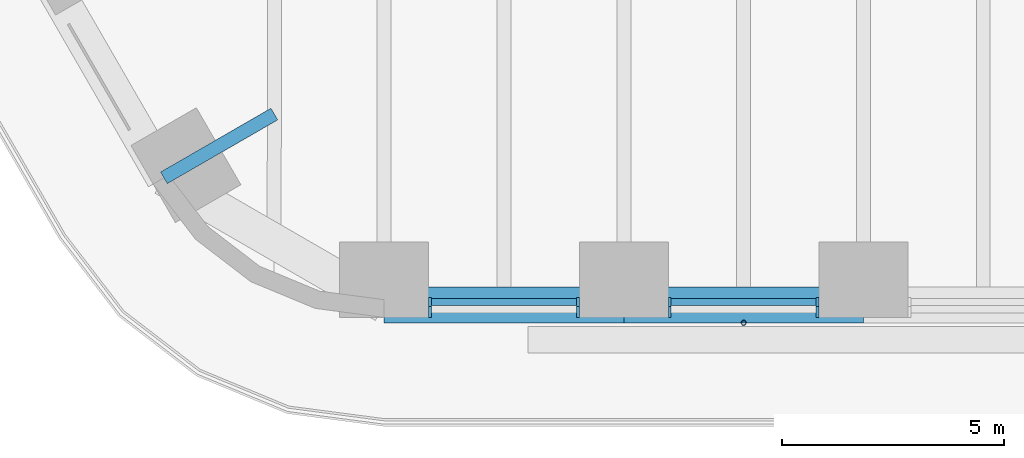
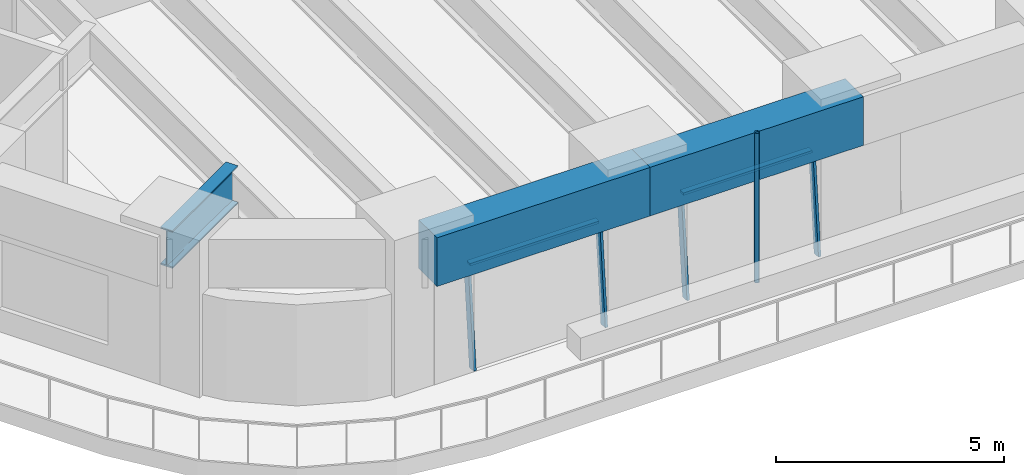
# One storey, part 2 of 23: 7 members, 3 beams, 2 elements without a shape of their own.
"""IFC4 building model written with IfcOpenShell, lengths in metres."""

from ifc_helpers import new_model, si_unit, direction, frame, origin, origin_2d, place, context, subcontext, project, spatial, rectangle, hollow_circle, i_section, extrude, material, material_profile, profile_set, type_object, element, aggregate, save


model = new_model("IFC4")

# Units and contexts
model_context = context("Model", 3, precision=1e-05, world=origin(), true_north=direction((0.0, 1.0)))
body_context = subcontext(model_context, "Body", "Model", "MODEL_VIEW")
ifc_project = project(units=[si_unit("LENGTHUNIT", "METRE"), si_unit("AREAUNIT", "SQUARE_METRE"), si_unit("VOLUMEUNIT", "CUBIC_METRE"), si_unit("PLANEANGLEUNIT", "RADIAN"), si_unit("MASSUNIT", "GRAM", prefix="KILO")], contexts=[model_context])

# Site, building, storey
site_placement = place(None, origin())
site = spatial("IfcSite", under=ifc_project, at=site_placement, CompositionType="ELEMENT")
building_placement = place(site_placement, origin())
building = spatial("IfcBuilding", under=site, at=building_placement, Name="Tarfa Lantern Tower", CompositionType="ELEMENT")
storey_placement = place(building_placement, frame((0.0, 0.0, 78.10009765625)))
storey = spatial("IfcBuildingStorey", under=building, at=storey_placement, Name="L17", CompositionType="ELEMENT", Elevation=78.10009765625)

# Curtain wall, members
ifc_material_1 = material(Name="Aluminium framed curtain wall", Category="aluminium")
curtain_wall_type = type_object("IfcCurtainWallType", Name="CW1 CANTED GLAZING LOW ZONE 2700", PredefinedType="USERDEFINED", material=ifc_material_1)
curtain_wall_1_placement = place(storey_placement, origin())
curtain_wall_1 = element("IfcCurtainWall", 1, at=curtain_wall_1_placement, inside=storey, type_object=curtain_wall_type, Name="CW1 S L17", ObjectType="CURTAIN WALL", PredefinedType="USERDEFINED")
ifc_material_2 = material(Name="Aluminium mullion", Category="aluminium")
ifc_material_profile_1 = material_profile(ifc_material_2, rectangle(XDim=0.06494140625, YDim=0.199951171875, at=origin_2d()), Name="AL MULLION 65x200")
ifc_profile_set_1 = profile_set([ifc_material_profile_1], Name="Aluminium mullion")
member_type_1 = type_object("IfcMemberType", Name="CWM1 MULLION 65x200", PredefinedType="MULLION", material=ifc_profile_set_1)
member_1_placement = place(storey_placement, frame((-15.13330078125, -33.89990234375, 0.0), z_axis=(0.0, 0.092199863775, 0.995740520979), x_axis=(-1.0, 0.0, 0.0)))
member_1 = element("IfcMember", 2, at=member_1_placement, type_object=member_type_1, Name="CW1 mullion 1", PredefinedType="MULLION", context=body_context, shape_type="SweptSolid", body=[
    extrude(rectangle(XDim=0.06494140625, YDim=0.199951171875, at=origin_2d()), origin(), (0.0, 0.0, 1.0), 2.71142578125),
])
member_2_placement = place(storey_placement, frame((-11.809814453125, -33.89990234375, 0.0), z_axis=(0.0, 0.092199863775, 0.995740520979), x_axis=(-1.0, 0.0, 0.0)))
member_2 = element("IfcMember", 3, at=member_2_placement, type_object=member_type_1, Name="CW1 mullion 2", PredefinedType="MULLION", context=body_context, shape_type="SweptSolid", body=[
    extrude(rectangle(XDim=0.06494140625, YDim=0.199951171875, at=origin_2d()), origin(), (0.0, 0.0, 1.0), 2.71142578125),
])

curtain_wall_2_placement = place(storey_placement, origin())
curtain_wall_2 = element("IfcCurtainWall", 4, at=curtain_wall_2_placement, inside=storey, type_object=curtain_wall_type, Name="CW1 S L17", ObjectType="CURTAIN WALL", PredefinedType="USERDEFINED")
member_3_placement = place(storey_placement, frame((-9.74462890625, -33.89990234375, 0.0), z_axis=(0.0, 0.092199863775, 0.995740520979), x_axis=(-1.0, 0.0, 0.0)))
member_3 = element("IfcMember", 5, at=member_3_placement, type_object=member_type_1, Name="CW1 mullion 1", PredefinedType="MULLION", context=body_context, shape_type="SweptSolid", body=[
    extrude(rectangle(XDim=0.06494140625, YDim=0.199951171875, at=origin_2d()), origin(), (0.0, 0.0, 1.0), 2.71142578125),
])
member_4_placement = place(storey_placement, frame((-6.421142578125, -33.89990234375, 0.0), z_axis=(0.0, 0.092199863775, 0.995740520979), x_axis=(-1.0, 0.0, 0.0)))
member_4 = element("IfcMember", 6, at=member_4_placement, type_object=member_type_1, Name="CW1 mullion 2", PredefinedType="MULLION", context=body_context, shape_type="SweptSolid", body=[
    extrude(rectangle(XDim=0.06494140625, YDim=0.199951171875, at=origin_2d()), origin(), (0.0, 0.0, 1.0), 2.71142578125),
])

# Member
ifc_material_3 = material(Name="Aluminium transom", Category="aluminium")
ifc_material_profile_2 = material_profile(ifc_material_3, rectangle(XDim=0.14990234375, YDim=0.06494140625, at=origin_2d()), Name="AL TRANSOM 150x65")
ifc_profile_set_2 = profile_set([ifc_material_profile_2], Name="Aluminium transom")
member_type_2 = type_object("IfcMemberType", Name="CWT1 TRANSOM 150x65", PredefinedType="USERDEFINED", material=ifc_profile_set_2)
member_5_placement = place(storey_placement, frame((-15.100830078125, -33.653076171875, 2.66748046875), z_axis=(1.0, 0.0, 0.0), x_axis=(0.0, 1.0, 0.0)))
member_5 = element("IfcMember", 7, at=member_5_placement, type_object=member_type_2, Name="CW1 transom 1.2", ObjectType="TRANSOM", PredefinedType="USERDEFINED", context=body_context, shape_type="SweptSolid", body=[
    extrude(rectangle(XDim=0.14990234375, YDim=0.06494140625, at=origin_2d()), origin(), (0.0, 0.0, 1.0), 3.258544921875),
])

aggregate(curtain_wall_1, [member_1, member_2, member_5])

member_6_placement = place(storey_placement, frame((-9.712158203125, -33.653076171875, 2.66748046875), z_axis=(1.0, 0.0, 0.0), x_axis=(0.0, 1.0, 0.0)))
member_6 = element("IfcMember", 8, at=member_6_placement, type_object=member_type_2, Name="CW1 transom 1.2", ObjectType="TRANSOM", PredefinedType="USERDEFINED", context=body_context, shape_type="SweptSolid", body=[
    extrude(rectangle(XDim=0.14990234375, YDim=0.06494140625, at=origin_2d()), origin(), (0.0, 0.0, 1.0), 3.258544921875),
])

aggregate(curtain_wall_2, [member_3, member_4, member_6])

# Beams
ifc_material_4 = material(Name="Concrete C80/95", Category="concrete")
ifc_material_profile_3 = material_profile(ifc_material_4, rectangle(XDim=0.800048828125, YDim=1.300048828125, at=origin_2d()), Name="RC 800x1300")
ifc_profile_set_3 = profile_set([ifc_material_profile_3], Name="Concrete C80/95")
beam_type_1 = type_object("IfcBeamType", Name="EB1 RC 800x1300", PredefinedType="SPANDREL", material=ifc_profile_set_3)
beam_1_placement = place(storey_placement, frame((-16.165771484375, -33.719970703125, 3.349853515625), z_axis=(1.0, 0.0, 0.0), x_axis=(0.0, 1.0, 0.0)))
element("IfcBeam", 9, at=beam_1_placement, inside=storey, type_object=beam_type_1, Name="Edge beam S0", PredefinedType="SPANDREL", context=body_context, shape_type="SweptSolid", body=[
    extrude(rectangle(XDim=0.800048828125, YDim=1.300048828125, at=origin_2d()), origin(), (0.0, 0.0, 1.0), 5.388671875),
])
beam_2_placement = place(storey_placement, frame((-10.777099609375, -33.719970703125, 3.349853515625), z_axis=(1.0, 0.0, 0.0), x_axis=(0.0, 1.0, 0.0)))
element("IfcBeam", 10, at=beam_2_placement, inside=storey, type_object=beam_type_1, Name="Edge beam S1", PredefinedType="SPANDREL", context=body_context, shape_type="SweptSolid", body=[
    extrude(rectangle(XDim=0.800048828125, YDim=1.300048828125, at=origin_2d()), origin(), (0.0, 0.0, 1.0), 5.388427734375),
])

# Member
ifc_material_5 = material(Name="Steel S355", Category="steel")
ifc_material_profile_4 = material_profile(ifc_material_5, hollow_circle(Radius=0.05712890625, WallThickness=0.00634765625, at=origin_2d()), Name="CHS114.3x6.3")
ifc_profile_set_4 = profile_set([ifc_material_profile_4], Name="Steel S355")
member_type_3 = type_object("IfcMemberType", Name="TR1 GREEN WALL TRELLIS CHS114.3x6.3", PredefinedType="USERDEFINED", material=ifc_profile_set_4)
member_7_placement = place(storey_placement, frame((-8.0830078125, -34.1201171875, 0.0), z_axis=(0.0, 0.0, 1.0), x_axis=(1.0, 0.0, 0.0)))
element("IfcMember", 11, at=member_7_placement, inside=storey, type_object=member_type_3, Name="Trellis post S 1", ObjectType="TRELLIS", PredefinedType="USERDEFINED", context=body_context, shape_type="SweptSolid", body=[
    extrude(hollow_circle(Radius=0.05712890625, WallThickness=0.00634765625, at=origin_2d()), origin(), (0.0, 0.0, 1.0), 4.0),
])

# Beam
ifc_material_6 = material(Name="Steel S460M", Category="steel")
ifc_material_profile_5 = material_profile(ifc_material_6, i_section(OverallWidth=0.302001953125, OverallDepth=1.008056640625, WebThickness=0.02099609375, FlangeThickness=0.0400390625, FilletRadius=0.030029296875, at=origin_2d()), Name="UB1016x305x349")
ifc_profile_set_5 = profile_set([ifc_material_profile_5], Name="Steel S460M")
beam_type_2 = type_object("IfcBeamType", Name="UB1016x305x349", PredefinedType="BEAM", material=ifc_profile_set_5)
beam_3_placement = place(storey_placement, frame((-21.119384765625, -30.860107421875, 3.495849609375), z_axis=(0.866012580594, 0.500022209759, 0.0), x_axis=(-0.500022209759, 0.866012580594, 0.0)))
element("IfcBeam", 12, at=beam_3_placement, inside=storey, type_object=beam_type_2, Name="Floor beam SW6", PredefinedType="BEAM", context=body_context, shape_type="SweptSolid", body=[
    extrude(i_section(OverallWidth=0.302001953125, OverallDepth=1.008056640625, WebThickness=0.02099609375, FlangeThickness=0.0400390625, FilletRadius=0.030029296875, at=origin_2d()), origin(), (0.0, 0.0, 1.0), 2.866943359375),
])

save(model, "model.ifc")
